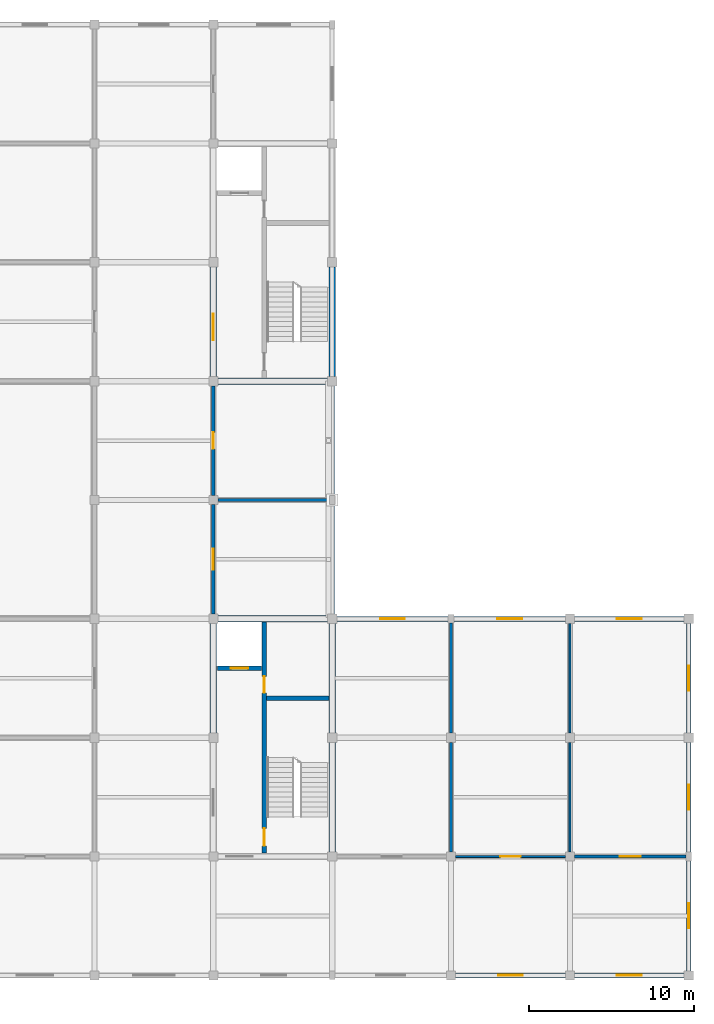
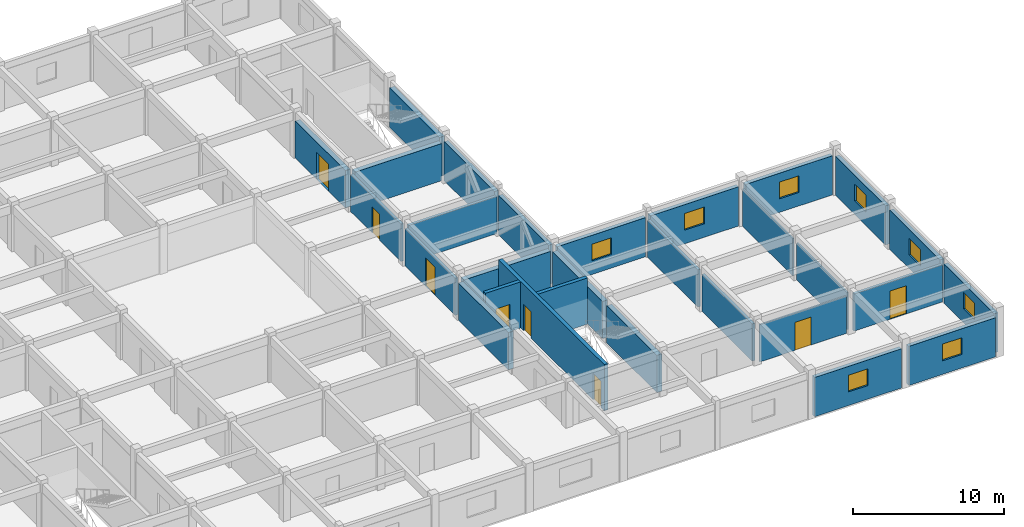
# One storey, part 8 of 10: 29 walls, 8 doors, 8 windows, 16 openings.
"""IFC4 building model written with IfcOpenShell, lengths in metres."""

from ifc_helpers import new_model, si_unit, direction, frame, frame_2d, origin, place, context, subcontext, project, spatial, rectangle, extrude, material, layer, layer_set, type_object, element, fill, save


model = new_model("IFC4")

# Units and contexts
model_context = context("Model", 3, precision=1e-05, world=origin(), true_north=direction((0.0, 1.0)))
body_context = subcontext(model_context, "Body", "Model", "MODEL_VIEW")
ifc_project = project(units=[si_unit("LENGTHUNIT", "METRE"), si_unit("AREAUNIT", "SQUARE_METRE"), si_unit("VOLUMEUNIT", "CUBIC_METRE"), si_unit("PLANEANGLEUNIT", "RADIAN"), si_unit("MASSUNIT", "GRAM", prefix="KILO")], contexts=[model_context])

# Site, building, storey
site_placement = place(None, origin())
site = spatial("IfcSite", under=ifc_project, at=site_placement, CompositionType="ELEMENT")
building_placement = place(site_placement, origin())
building = spatial("IfcBuilding", under=site, at=building_placement, Name="Cendaluz Park School", CompositionType="ELEMENT")
storey_placement = place(building_placement, frame((0.0, 0.0, 38.800048828125)))
storey = spatial("IfcBuildingStorey", under=building, at=storey_placement, Name="L09", CompositionType="ELEMENT", Elevation=38.800048828125)

# Walls
ifc_material_1 = material(Name="Gypsum Plasterboard on Cold-Formed Stud", Category="gypsum")
ifc_layer_1 = layer(ifc_material_1, 0.199951171875)
ifc_layer_set_1 = layer_set([ifc_layer_1], Name="Gypsum Plasterboard on Cold-Formed Stud")
wall_type_1 = type_object("IfcWallType", Name="W-AC20", PredefinedType="PARTITIONING", material=ifc_layer_set_1)
wall_1_placement = place(storey_placement, frame((115.199951171875, 14.679931640625, 0.0), z_axis=(0.0, 0.0, 1.0), x_axis=(0.0, 1.0, 0.0)))
element("IfcWall", 1, at=wall_1_placement, inside=storey, type_object=wall_type_1, Name="WL-FJ-BO1", PredefinedType="PARTITIONING", context=body_context, shape_type="SweptSolid", body=[
    extrude(rectangle(XDim=6.64013671875, YDim=0.199951171875, at=frame_2d((3.320068359375, 0.0))), origin(), (0.0, 0.0, 1.0), 3.010009765625),
])
wall_2_placement = place(storey_placement, frame((115.199951171875, 21.8798828125, 0.0), z_axis=(0.0, 0.0, 1.0), x_axis=(0.0, 1.0, 0.0)))
element("IfcWall", 2, at=wall_2_placement, inside=storey, type_object=wall_type_1, Name="WL-FJ-BO2", PredefinedType="PARTITIONING", context=body_context, shape_type="SweptSolid", body=[
    extrude(rectangle(XDim=6.66015625, YDim=0.199951171875, at=frame_2d((3.330078125, 0.0))), origin(), (0.0, 0.0, 1.0), 3.010009765625),
])

# Wall, opening, door
wall_3_placement = place(storey_placement, frame((122.679931640625, 14.39990234375, 0.0), z_axis=(0.0, 0.0, 1.0), x_axis=(1.0, 0.0, 0.0)))
wall_3 = element("IfcWall", 3, at=wall_3_placement, inside=storey, type_object=wall_type_1, Name="WL-FJ-BO6", PredefinedType="PARTITIONING", context=body_context, shape_type="SweptSolid", body=[
    extrude(rectangle(XDim=6.739990234375, YDim=0.199951171875, at=frame_2d((3.3701171875, 0.0))), origin(), (0.0, 0.0, 1.0), 3.010009765625),
])
opening_1_placement = place(wall_3_placement, frame((2.72998046875, 0.0, 0.0)))
opening_1 = element("IfcOpeningElement", 4, at=opening_1_placement, cuts=wall_3, Name="Opening DCL-10", PredefinedType="OPENING", context=body_context, shape_type="SweptSolid", body=[
    extrude(rectangle(XDim=1.280029296875, YDim=2.280029296875, at=frame_2d((0.64013671875, 1.14013671875))), frame((0.0, 0.112060546875, 0.0), z_axis=(0.0, -1.0, 0.0), x_axis=(1.0, 0.0, 0.0)), (0.0, 0.0, 1.0), 0.223876953125),
])
ifc_material_2 = material(Name="Solid Core Hardwood", Category="wood")
door_type_1 = type_object("IfcDoorType", Name="DCL-10", OperationType="NOTDEFINED", PredefinedType="DOOR", material=ifc_material_2)
door_1_placement = place(opening_1_placement, origin())
door_1 = element("IfcDoor", 5, at=door_1_placement, inside=storey, type_object=door_type_1, Name="D-L09-028", OperationType="SINGLE_SWING_RIGHT", OverallHeight=2.280029296875, OverallWidth=1.280029296875, PredefinedType="DOOR", context=body_context, shape_type="SweptSolid", body=[
    extrude(rectangle(XDim=1.280029296875, YDim=2.280029296875, at=frame_2d((0.64013671875, 1.14013671875))), frame((0.0, 0.02490234375, 0.0), z_axis=(0.0, -1.0, 0.0), x_axis=(1.0, 0.0, 0.0)), (0.0, 0.0, 1.0), 0.050048828125),
])
fill(opening_1, door_1)

# Wall
wall_4_placement = place(storey_placement, frame((101.080078125, 36.0, 0.0), z_axis=(0.0, 0.0, 1.0), x_axis=(1.0, 0.0, 0.0)))
element("IfcWall", 6, at=wall_4_placement, inside=storey, type_object=wall_type_1, Name="WL-FJ-BQ4", PredefinedType="PARTITIONING", context=body_context, shape_type="SweptSolid", body=[
    extrude(rectangle(XDim=6.739990234375, YDim=0.199951171875, at=frame_2d((3.3701171875, 0.0))), origin(), (0.0, 0.0, 1.0), 3.010009765625),
])

# Wall, opening, door
wall_5_placement = place(storey_placement, frame((100.800048828125, 29.080078125, 0.0), z_axis=(0.0, 0.0, 1.0), x_axis=(0.0, 1.0, 0.0)))
wall_5 = element("IfcWall", 7, at=wall_5_placement, inside=storey, type_object=wall_type_1, Name="WL-FJ-BQ5", PredefinedType="PARTITIONING", context=body_context, shape_type="SweptSolid", body=[
    extrude(rectangle(XDim=6.639892578125, YDim=0.199951171875, at=frame_2d((3.31982421875, 0.0))), origin(), (0.0, 0.0, 1.0), 3.010009765625),
])
opening_2_placement = place(wall_5_placement, frame((2.679931640625, 0.0, 0.0)))
opening_2 = element("IfcOpeningElement", 8, at=opening_2_placement, cuts=wall_5, Name="Opening DCL-10", PredefinedType="OPENING", context=body_context, shape_type="SweptSolid", body=[
    extrude(rectangle(XDim=1.280029296875, YDim=2.280029296875, at=frame_2d((0.64013671875, 1.14013671875))), frame((0.0, 0.112060546875, 0.0), z_axis=(0.0, -1.0, 0.0), x_axis=(1.0, 0.0, 0.0)), (0.0, 0.0, 1.0), 0.223876953125),
])
door_2_placement = place(opening_2_placement, frame((1.280029296875, 0.0, 0.0), z_axis=(0.0, 0.0, 1.0), x_axis=(-1.0, 0.0, 0.0)))
door_2 = element("IfcDoor", 9, at=door_2_placement, inside=storey, type_object=door_type_1, Name="D-L09-038", OperationType="SINGLE_SWING_RIGHT", OverallHeight=2.280029296875, OverallWidth=1.280029296875, PredefinedType="DOOR", context=body_context, shape_type="SweptSolid", body=[
    extrude(rectangle(XDim=1.280029296875, YDim=2.280029296875, at=frame_2d((0.64013671875, 1.14013671875))), frame((0.0, 0.02490234375, 0.0), z_axis=(0.0, -1.0, 0.0), x_axis=(1.0, 0.0, 0.0)), (0.0, 0.0, 1.0), 0.050048828125),
])
fill(opening_2, door_2)

wall_6_placement = place(storey_placement, frame((100.800048828125, 36.280029296875, 0.0), z_axis=(0.0, 0.0, 1.0), x_axis=(0.0, 1.0, 0.0)))
wall_6 = element("IfcWall", 10, at=wall_6_placement, inside=storey, type_object=wall_type_1, Name="WL-FJ-BQ6", PredefinedType="PARTITIONING", context=body_context, shape_type="SweptSolid", body=[
    extrude(rectangle(XDim=6.639892578125, YDim=0.199951171875, at=frame_2d((3.31982421875, 0.0))), origin(), (0.0, 0.0, 1.0), 3.010009765625),
])
opening_3_placement = place(wall_6_placement, frame((2.820068359375, 0.0, 0.0)))
opening_3 = element("IfcOpeningElement", 11, at=opening_3_placement, cuts=wall_6, Name="Opening DCL-01", PredefinedType="OPENING", context=body_context, shape_type="SweptSolid", body=[
    extrude(rectangle(XDim=1.0, YDim=2.10009765625, at=frame_2d((0.5, 1.050048828125))), frame((0.0, 0.112060546875, 0.0), z_axis=(0.0, -1.0, 0.0), x_axis=(1.0, 0.0, 0.0)), (0.0, 0.0, 1.0), 0.223876953125),
])
door_type_2 = type_object("IfcDoorType", Name="DCL-01", OperationType="NOTDEFINED", PredefinedType="DOOR", material=ifc_material_2)
door_3_placement = place(opening_3_placement, frame((1.0, 0.0, 0.0), z_axis=(0.0, 0.0, 1.0), x_axis=(-1.0, 0.0, 0.0)))
door_3 = element("IfcDoor", 12, at=door_3_placement, inside=storey, type_object=door_type_2, Name="D-L09-039", OperationType="SINGLE_SWING_LEFT", OverallHeight=2.10009765625, OverallWidth=1.0, PredefinedType="DOOR", context=body_context, shape_type="SweptSolid", body=[
    extrude(rectangle(XDim=1.0, YDim=2.10009765625, at=frame_2d((0.5, 1.050048828125))), frame((0.0, 0.02490234375, 0.0), z_axis=(0.0, -1.0, 0.0), x_axis=(1.0, 0.0, 0.0)), (0.0, 0.0, 1.0), 0.050048828125),
])
fill(opening_3, door_3)

# Walls
ifc_material_3 = material(Name="Cross-laminated timber CLT C24", Category="wood")
ifc_layer_2 = layer(ifc_material_3, 0.300048828125)
ifc_layer_set_2 = layer_set([ifc_layer_2], Name="Cross-laminated timber CLT C24")
wall_type_2 = type_object("IfcWallType", Name="W-EX30", PredefinedType="SOLIDWALL", material=ifc_layer_set_2)
for number, where, z_axis, x_axis, name in (
    (13, (108.0, 29.080078125, 0.0), (0.0, 0.0, 1.0), (0.0, 1.0, 0.0), "WL-FJ-AC5"),
    (14, (108.0, 36.260009765625, 0.0), (0.0, 0.0, 1.0), (0.0, 1.0, 0.0), "WL-FJ-AC6"),
):
    element("IfcWall", number, at=place(storey_placement, frame(where, z_axis=z_axis, x_axis=x_axis)), inside=storey, type_object=wall_type_2, Name=name, PredefinedType="SOLIDWALL", context=body_context, shape_type="SweptSolid", body=[
        extrude(rectangle(XDim=6.659912109375, YDim=0.300048828125, at=frame_2d((3.330078125, 0.0))), origin(), (0.0, 0.0, 1.0), 3.169921875),
    ])

# Wall, opening, window
wall_7_placement = place(storey_placement, frame((108.280029296875, 28.800048828125, 0.0), z_axis=(0.0, 0.0, 1.0), x_axis=(1.0, 0.0, 0.0)))
wall_7 = element("IfcWall", 15, at=wall_7_placement, inside=storey, type_object=wall_type_2, Name="WL-FJ-AD0", PredefinedType="SOLIDWALL", context=body_context, shape_type="SweptSolid", body=[
    extrude(rectangle(XDim=6.739990234375, YDim=0.300048828125, at=frame_2d((3.3701171875, 0.0))), origin(), (0.0, 0.0, 1.0), 3.169921875),
])
opening_4_placement = place(wall_7_placement, frame((2.6201171875, 0.0, 1.10009765625)))
opening_4 = element("IfcOpeningElement", 16, at=opening_4_placement, cuts=wall_7, Name="Opening WN-20", PredefinedType="OPENING", context=body_context, shape_type="SweptSolid", body=[
    extrude(rectangle(XDim=1.5, YDim=1.35009765625, at=frame_2d((0.75, 0.675048828125))), frame((0.0, 0.162109375, 0.0), z_axis=(0.0, -1.0, 0.0), x_axis=(1.0, 0.0, 0.0)), (0.0, 0.0, 1.0), 0.323974609375),
])
ifc_material_4 = material(Name="Tempered Low-E Double Glazing", Category="glass")
window_type = type_object("IfcWindowType", Name="WN-20", PartitioningType="SINGLE_PANEL", PredefinedType="WINDOW", material=ifc_material_4)
window_1_placement = place(opening_4_placement, origin())
window_1 = element("IfcWindow", 17, at=window_1_placement, inside=storey, type_object=window_type, Name="WN-L09-027", OverallHeight=1.35009765625, OverallWidth=1.5, PartitioningType="SINGLE_PANEL", PredefinedType="WINDOW", context=body_context, shape_type="SweptSolid", body=[
    extrude(rectangle(XDim=1.5, YDim=1.35009765625, at=frame_2d((0.75, 0.675048828125))), frame((0.0, 0.030029296875, 0.0), z_axis=(0.0, -1.0, 0.0), x_axis=(1.0, 0.0, 0.0)), (0.0, 0.0, 1.0), 0.06005859375),
])
fill(opening_4, window_1)

wall_8_placement = place(storey_placement, frame((115.47998046875, 7.199951171875, 0.0), z_axis=(0.0, 0.0, 1.0), x_axis=(1.0, 0.0, 0.0)))
wall_8 = element("IfcWall", 18, at=wall_8_placement, inside=storey, type_object=wall_type_2, Name="WL-FJ-AD1", PredefinedType="SOLIDWALL", context=body_context, shape_type="SweptSolid", body=[
    extrude(rectangle(XDim=6.64013671875, YDim=0.300048828125, at=frame_2d((3.320068359375, 0.0))), origin(), (0.0, 0.0, 1.0), 3.169921875),
])
opening_5_placement = place(wall_8_placement, frame((2.570068359375, 0.0, 1.10009765625)))
opening_5 = element("IfcOpeningElement", 19, at=opening_5_placement, cuts=wall_8, Name="Opening WN-20", PredefinedType="OPENING", context=body_context, shape_type="SweptSolid", body=[
    extrude(rectangle(XDim=1.5, YDim=1.35009765625, at=frame_2d((0.75, 0.675048828125))), frame((0.0, 0.162109375, 0.0), z_axis=(0.0, -1.0, 0.0), x_axis=(1.0, 0.0, 0.0)), (0.0, 0.0, 1.0), 0.323974609375),
])
window_2_placement = place(opening_5_placement, origin())
window_2 = element("IfcWindow", 20, at=window_2_placement, inside=storey, type_object=window_type, Name="WN-L09-028", OverallHeight=1.35009765625, OverallWidth=1.5, PartitioningType="SINGLE_PANEL", PredefinedType="WINDOW", context=body_context, shape_type="SweptSolid", body=[
    extrude(rectangle(XDim=1.5, YDim=1.35009765625, at=frame_2d((0.75, 0.675048828125))), frame((0.0, 0.030029296875, 0.0), z_axis=(0.0, -1.0, 0.0), x_axis=(1.0, 0.0, 0.0)), (0.0, 0.0, 1.0), 0.06005859375),
])
fill(opening_5, window_2)

wall_9_placement = place(storey_placement, frame((115.3798828125, 28.800048828125, 0.0), z_axis=(0.0, 0.0, 1.0), x_axis=(1.0, 0.0, 0.0)))
wall_9 = element("IfcWall", 21, at=wall_9_placement, inside=storey, type_object=wall_type_2, Name="WL-FJ-AD2", PredefinedType="SOLIDWALL", context=body_context, shape_type="SweptSolid", body=[
    extrude(rectangle(XDim=6.740234375, YDim=0.300048828125, at=frame_2d((3.3701171875, 0.0))), origin(), (0.0, 0.0, 1.0), 3.169921875),
])
opening_6_placement = place(wall_9_placement, frame((2.6201171875, 0.0, 1.10009765625)))
opening_6 = element("IfcOpeningElement", 22, at=opening_6_placement, cuts=wall_9, Name="Opening WN-20", PredefinedType="OPENING", context=body_context, shape_type="SweptSolid", body=[
    extrude(rectangle(XDim=1.5, YDim=1.35009765625, at=frame_2d((0.75, 0.675048828125))), frame((0.0, 0.162109375, 0.0), z_axis=(0.0, -1.0, 0.0), x_axis=(1.0, 0.0, 0.0)), (0.0, 0.0, 1.0), 0.323974609375),
])
window_3_placement = place(opening_6_placement, origin())
window_3 = element("IfcWindow", 23, at=window_3_placement, inside=storey, type_object=window_type, Name="WN-L09-029", OverallHeight=1.35009765625, OverallWidth=1.5, PartitioningType="SINGLE_PANEL", PredefinedType="WINDOW", context=body_context, shape_type="SweptSolid", body=[
    extrude(rectangle(XDim=1.5, YDim=1.35009765625, at=frame_2d((0.75, 0.675048828125))), frame((0.0, 0.030029296875, 0.0), z_axis=(0.0, -1.0, 0.0), x_axis=(1.0, 0.0, 0.0)), (0.0, 0.0, 1.0), 0.06005859375),
])
fill(opening_6, window_3)

wall_10_placement = place(storey_placement, frame((122.679931640625, 7.199951171875, 0.0), z_axis=(0.0, 0.0, 1.0), x_axis=(1.0, 0.0, 0.0)))
wall_10 = element("IfcWall", 24, at=wall_10_placement, inside=storey, type_object=wall_type_2, Name="WL-FJ-AD3", PredefinedType="SOLIDWALL", context=body_context, shape_type="SweptSolid", body=[
    extrude(rectangle(XDim=6.64013671875, YDim=0.300048828125, at=frame_2d((3.320068359375, 0.0))), origin(), (0.0, 0.0, 1.0), 3.169921875),
])
opening_7_placement = place(wall_10_placement, frame((2.570068359375, 0.0, 1.10009765625)))
opening_7 = element("IfcOpeningElement", 25, at=opening_7_placement, cuts=wall_10, Name="Opening WN-20", PredefinedType="OPENING", context=body_context, shape_type="SweptSolid", body=[
    extrude(rectangle(XDim=1.5, YDim=1.35009765625, at=frame_2d((0.75, 0.675048828125))), frame((0.0, 0.162109375, 0.0), z_axis=(0.0, -1.0, 0.0), x_axis=(1.0, 0.0, 0.0)), (0.0, 0.0, 1.0), 0.323974609375),
])
window_4_placement = place(opening_7_placement, origin())
window_4 = element("IfcWindow", 26, at=window_4_placement, inside=storey, type_object=window_type, Name="WN-L09-030", OverallHeight=1.35009765625, OverallWidth=1.5, PartitioningType="SINGLE_PANEL", PredefinedType="WINDOW", context=body_context, shape_type="SweptSolid", body=[
    extrude(rectangle(XDim=1.5, YDim=1.35009765625, at=frame_2d((0.75, 0.675048828125))), frame((0.0, 0.030029296875, 0.0), z_axis=(0.0, -1.0, 0.0), x_axis=(1.0, 0.0, 0.0)), (0.0, 0.0, 1.0), 0.06005859375),
])
fill(opening_7, window_4)

wall_11_placement = place(storey_placement, frame((129.60009765625, 7.47998046875, 0.0), z_axis=(0.0, 0.0, 1.0), x_axis=(0.0, 1.0, 0.0)))
wall_11 = element("IfcWall", 27, at=wall_11_placement, inside=storey, type_object=wall_type_2, Name="WL-FJ-AD4", PredefinedType="SOLIDWALL", context=body_context, shape_type="SweptSolid", body=[
    extrude(rectangle(XDim=6.659912109375, YDim=0.300048828125, at=frame_2d((3.330078125, 0.0))), origin(), (0.0, 0.0, 1.0), 3.169921875),
])
opening_8_placement = place(wall_11_placement, frame((2.580078125, 0.0, 1.10009765625)))
opening_8 = element("IfcOpeningElement", 28, at=opening_8_placement, cuts=wall_11, Name="Opening WN-20", PredefinedType="OPENING", context=body_context, shape_type="SweptSolid", body=[
    extrude(rectangle(XDim=1.5, YDim=1.35009765625, at=frame_2d((0.75, 0.675048828125))), frame((0.0, 0.162109375, 0.0), z_axis=(0.0, -1.0, 0.0), x_axis=(1.0, 0.0, 0.0)), (0.0, 0.0, 1.0), 0.323974609375),
])
window_5_placement = place(opening_8_placement, origin())
window_5 = element("IfcWindow", 29, at=window_5_placement, inside=storey, type_object=window_type, Name="WN-L09-031", OverallHeight=1.35009765625, OverallWidth=1.5, PartitioningType="SINGLE_PANEL", PredefinedType="WINDOW", context=body_context, shape_type="SweptSolid", body=[
    extrude(rectangle(XDim=1.5, YDim=1.35009765625, at=frame_2d((0.75, 0.675048828125))), frame((0.0, 0.030029296875, 0.0), z_axis=(0.0, -1.0, 0.0), x_axis=(1.0, 0.0, 0.0)), (0.0, 0.0, 1.0), 0.06005859375),
])
fill(opening_8, window_5)

wall_12_placement = place(storey_placement, frame((129.60009765625, 14.659912109375, 0.0), z_axis=(0.0, 0.0, 1.0), x_axis=(0.0, 1.0, 0.0)))
wall_12 = element("IfcWall", 30, at=wall_12_placement, inside=storey, type_object=wall_type_2, Name="WL-FJ-AD5", PredefinedType="SOLIDWALL", context=body_context, shape_type="SweptSolid", body=[
    extrude(rectangle(XDim=6.66015625, YDim=0.300048828125, at=frame_2d((3.330078125, 0.0))), origin(), (0.0, 0.0, 1.0), 3.169921875),
])
opening_9_placement = place(wall_12_placement, frame((2.580078125, 0.0, 1.10009765625)))
opening_9 = element("IfcOpeningElement", 31, at=opening_9_placement, cuts=wall_12, Name="Opening WN-20", PredefinedType="OPENING", context=body_context, shape_type="SweptSolid", body=[
    extrude(rectangle(XDim=1.5, YDim=1.35009765625, at=frame_2d((0.75, 0.675048828125))), frame((0.0, 0.162109375, 0.0), z_axis=(0.0, -1.0, 0.0), x_axis=(1.0, 0.0, 0.0)), (0.0, 0.0, 1.0), 0.323974609375),
])
window_6_placement = place(opening_9_placement, origin())
window_6 = element("IfcWindow", 32, at=window_6_placement, inside=storey, type_object=window_type, Name="WN-L09-032", OverallHeight=1.35009765625, OverallWidth=1.5, PartitioningType="SINGLE_PANEL", PredefinedType="WINDOW", context=body_context, shape_type="SweptSolid", body=[
    extrude(rectangle(XDim=1.5, YDim=1.35009765625, at=frame_2d((0.75, 0.675048828125))), frame((0.0, 0.030029296875, 0.0), z_axis=(0.0, -1.0, 0.0), x_axis=(1.0, 0.0, 0.0)), (0.0, 0.0, 1.0), 0.06005859375),
])
fill(opening_9, window_6)

wall_13_placement = place(storey_placement, frame((122.679931640625, 28.800048828125, 0.0), z_axis=(0.0, 0.0, 1.0), x_axis=(1.0, 0.0, 0.0)))
wall_13 = element("IfcWall", 33, at=wall_13_placement, inside=storey, type_object=wall_type_2, Name="WL-FJ-AD6", PredefinedType="SOLIDWALL", context=body_context, shape_type="SweptSolid", body=[
    extrude(rectangle(XDim=6.64013671875, YDim=0.300048828125, at=frame_2d((3.320068359375, 0.0))), origin(), (0.0, 0.0, 1.0), 3.169921875),
])
opening_10_placement = place(wall_13_placement, frame((2.570068359375, 0.0, 1.10009765625)))
opening_10 = element("IfcOpeningElement", 34, at=opening_10_placement, cuts=wall_13, Name="Opening WN-20", PredefinedType="OPENING", context=body_context, shape_type="SweptSolid", body=[
    extrude(rectangle(XDim=1.5, YDim=1.35009765625, at=frame_2d((0.75, 0.675048828125))), frame((0.0, 0.162109375, 0.0), z_axis=(0.0, -1.0, 0.0), x_axis=(1.0, 0.0, 0.0)), (0.0, 0.0, 1.0), 0.323974609375),
])
window_7_placement = place(opening_10_placement, origin())
window_7 = element("IfcWindow", 35, at=window_7_placement, inside=storey, type_object=window_type, Name="WN-L09-033", OverallHeight=1.35009765625, OverallWidth=1.5, PartitioningType="SINGLE_PANEL", PredefinedType="WINDOW", context=body_context, shape_type="SweptSolid", body=[
    extrude(rectangle(XDim=1.5, YDim=1.35009765625, at=frame_2d((0.75, 0.675048828125))), frame((0.0, 0.030029296875, 0.0), z_axis=(0.0, -1.0, 0.0), x_axis=(1.0, 0.0, 0.0)), (0.0, 0.0, 1.0), 0.06005859375),
])
fill(opening_10, window_7)

wall_14_placement = place(storey_placement, frame((129.60009765625, 21.8798828125, 0.0), z_axis=(0.0, 0.0, 1.0), x_axis=(0.0, 1.0, 0.0)))
wall_14 = element("IfcWall", 36, at=wall_14_placement, inside=storey, type_object=wall_type_2, Name="WL-FJ-AD7", PredefinedType="SOLIDWALL", context=body_context, shape_type="SweptSolid", body=[
    extrude(rectangle(XDim=6.64013671875, YDim=0.300048828125, at=frame_2d((3.320068359375, 0.0))), origin(), (0.0, 0.0, 1.0), 3.169921875),
])
opening_11_placement = place(wall_14_placement, frame((2.570068359375, 0.0, 1.10009765625)))
opening_11 = element("IfcOpeningElement", 37, at=opening_11_placement, cuts=wall_14, Name="Opening WN-20", PredefinedType="OPENING", context=body_context, shape_type="SweptSolid", body=[
    extrude(rectangle(XDim=1.5, YDim=1.35009765625, at=frame_2d((0.75, 0.675048828125))), frame((0.0, 0.162109375, 0.0), z_axis=(0.0, -1.0, 0.0), x_axis=(1.0, 0.0, 0.0)), (0.0, 0.0, 1.0), 0.323974609375),
])
window_8_placement = place(opening_11_placement, origin())
window_8 = element("IfcWindow", 38, at=window_8_placement, inside=storey, type_object=window_type, Name="WN-L09-034", OverallHeight=1.35009765625, OverallWidth=1.5, PartitioningType="SINGLE_PANEL", PredefinedType="WINDOW", context=body_context, shape_type="SweptSolid", body=[
    extrude(rectangle(XDim=1.5, YDim=1.35009765625, at=frame_2d((0.75, 0.675048828125))), frame((0.0, 0.030029296875, 0.0), z_axis=(0.0, -1.0, 0.0), x_axis=(1.0, 0.0, 0.0)), (0.0, 0.0, 1.0), 0.06005859375),
])
fill(opening_11, window_8)

# Wall, openings, doors
ifc_material_5 = material(Name="Concrete C40/50", Category="concrete")
ifc_layer_3 = layer(ifc_material_5, 0.280029296875)
ifc_layer_set_3 = layer_set([ifc_layer_3], Name="Concrete C40/50")
wall_type_3 = type_object("IfcWallType", Name="W-FW28", PredefinedType="SHEAR", material=ifc_layer_set_3)
wall_15_placement = place(storey_placement, frame((103.8798828125, 14.60009765625, 0.0), z_axis=(0.0, 0.0, 1.0), x_axis=(0.0, 1.0, 0.0)))
wall_15 = element("IfcWall", 39, at=wall_15_placement, inside=storey, type_object=wall_type_3, Name="WL-FJ-BJ3", PredefinedType="SHEAR", context=body_context, shape_type="SweptSolid", body=[
    extrude(rectangle(XDim=14.0, YDim=0.280029296875, at=frame_2d((7.0, 0.0))), origin(), (0.0, 0.0, 1.0), 3.739990234375),
])
opening_12_placement = place(wall_15_placement, frame((0.449951171875, 0.0, 0.0)))
opening_12 = element("IfcOpeningElement", 40, at=opening_12_placement, cuts=wall_15, Name="Opening DST-02", PredefinedType="OPENING", context=body_context, shape_type="SweptSolid", body=[
    extrude(rectangle(XDim=1.050048828125, YDim=2.14990234375, at=frame_2d((0.52490234375, 1.074951171875))), frame((0.0, 0.152099609375, 0.0), z_axis=(0.0, -1.0, 0.0), x_axis=(1.0, 0.0, 0.0)), (0.0, 0.0, 1.0), 0.303955078125),
])
opening_13_placement = place(wall_15_placement, frame((9.719970703125, 0.0, 0.0)))
opening_13 = element("IfcOpeningElement", 41, at=opening_13_placement, cuts=wall_15, Name="Opening DFC-01", PredefinedType="OPENING", context=body_context, shape_type="SweptSolid", body=[
    extrude(rectangle(XDim=1.0, YDim=2.14990234375, at=frame_2d((0.5, 1.074951171875))), frame((0.0, 0.152099609375, 0.0), z_axis=(0.0, -1.0, 0.0), x_axis=(1.0, 0.0, 0.0)), (0.0, 0.0, 1.0), 0.303955078125),
])
door_type_3 = type_object("IfcDoorType", Name="DFC-01", OperationType="NOTDEFINED", PredefinedType="DOOR", material=ifc_material_2)
door_4_placement = place(opening_13_placement, frame((1.0, 0.0, 0.0), z_axis=(0.0, 0.0, 1.0), x_axis=(-1.0, 0.0, 0.0)))
door_4 = element("IfcDoor", 42, at=door_4_placement, inside=storey, type_object=door_type_3, Name="D-L09-009", OperationType="SINGLE_SWING_LEFT", OverallHeight=2.14990234375, OverallWidth=1.0, PredefinedType="DOOR", context=body_context, shape_type="SweptSolid", body=[
    extrude(rectangle(XDim=1.0, YDim=2.14990234375, at=frame_2d((0.5, 1.074951171875))), frame((0.0, 0.02490234375, 0.0), z_axis=(0.0, -1.0, 0.0), x_axis=(1.0, 0.0, 0.0)), (0.0, 0.0, 1.0), 0.050048828125),
])
fill(opening_13, door_4)
door_type_4 = type_object("IfcDoorType", Name="DST-02", OperationType="NOTDEFINED", PredefinedType="DOOR", material=ifc_material_2)
door_5_placement = place(opening_12_placement, frame((1.050048828125, 0.0, 0.0), z_axis=(0.0, 0.0, 1.0), x_axis=(-1.0, 0.0, 0.0)))
door_5 = element("IfcDoor", 43, at=door_5_placement, inside=storey, type_object=door_type_4, Name="D-L09-008", OperationType="SINGLE_SWING_RIGHT", OverallHeight=2.14990234375, OverallWidth=1.050048828125, PredefinedType="DOOR", context=body_context, shape_type="SweptSolid", body=[
    extrude(rectangle(XDim=1.050048828125, YDim=2.14990234375, at=frame_2d((0.52490234375, 1.074951171875))), frame((0.0, 0.02490234375, 0.0), z_axis=(0.0, -1.0, 0.0), x_axis=(1.0, 0.0, 0.0)), (0.0, 0.0, 1.0), 0.050048828125),
])
fill(opening_12, door_5)

# Wall
wall_16_placement = place(storey_placement, frame((104.02001953125, 23.97998046875, 0.0), z_axis=(0.0, 0.0, 1.0), x_axis=(1.0, 0.0, 0.0)))
element("IfcWall", 44, at=wall_16_placement, inside=storey, type_object=wall_type_3, Name="WL-FJ-BJ4", PredefinedType="SHEAR", context=body_context, shape_type="SweptSolid", body=[
    extrude(rectangle(XDim=3.780029296875, YDim=0.280029296875, at=frame_2d((1.89013671875, 0.0))), origin(), (0.0, 0.0, 1.0), 3.739990234375),
])

# Wall, opening, door
wall_17_placement = place(storey_placement, frame((101.0400390625, 25.800048828125, 0.0), z_axis=(0.0, 0.0, 1.0), x_axis=(1.0, 0.0, 0.0)))
wall_17 = element("IfcWall", 45, at=wall_17_placement, inside=storey, type_object=wall_type_3, Name="WL-FJ-BJ5", PredefinedType="SHEAR", context=body_context, shape_type="SweptSolid", body=[
    extrude(rectangle(XDim=2.679931640625, YDim=0.280029296875, at=frame_2d((1.33984375, 0.0))), origin(), (0.0, 0.0, 1.0), 3.739990234375),
])
opening_14_placement = place(wall_17_placement, frame((0.81494140625, 0.0, 0.0)))
opening_14 = element("IfcOpeningElement", 46, at=opening_14_placement, cuts=wall_17, Name="Opening LD-02", PredefinedType="OPENING", context=body_context, shape_type="SweptSolid", body=[
    extrude(rectangle(XDim=1.050048828125, YDim=2.199951171875, at=frame_2d((0.52490234375, 1.10009765625))), frame((0.0, 0.152099609375, 0.0), z_axis=(0.0, -1.0, 0.0), x_axis=(1.0, 0.0, 0.0)), (0.0, 0.0, 1.0), 0.303955078125),
])
ifc_material_6 = material(Name="Stainless Steel 316L", Category="steel")
door_type_5 = type_object("IfcDoorType", Name="LD-02", OperationType="DOUBLE_DOOR_SLIDING", PredefinedType="DOOR", material=ifc_material_6)
door_6_placement = place(opening_14_placement, frame((1.050048828125, 0.0, 0.0), z_axis=(0.0, 0.0, 1.0), x_axis=(-1.0, 0.0, 0.0)))
door_6 = element("IfcDoor", 47, at=door_6_placement, inside=storey, type_object=door_type_5, Name="D-L09-010", OperationType="DOUBLE_DOOR_SLIDING", OverallHeight=2.199951171875, OverallWidth=1.050048828125, PredefinedType="DOOR", context=body_context, shape_type="SweptSolid", body=[
    extrude(rectangle(XDim=1.050048828125, YDim=2.199951171875, at=frame_2d((0.52490234375, 1.10009765625))), frame((0.0, 0.02490234375, 0.0), z_axis=(0.0, -1.0, 0.0), x_axis=(1.0, 0.0, 0.0)), (0.0, 0.0, 1.0), 0.050048828125),
])
fill(opening_14, door_6)

ifc_layer_4 = layer(ifc_material_1, 0.1201171875)
ifc_layer_set_4 = layer_set([ifc_layer_4], Name="Gypsum Plasterboard on Cold-Formed Stud")
wall_type_4 = type_object("IfcWallType", Name="W-MV12", PredefinedType="MOVABLE", material=ifc_layer_set_4)
wall_18_placement = place(storey_placement, frame((115.47998046875, 14.39990234375, 0.0), z_axis=(0.0, 0.0, 1.0), x_axis=(1.0, 0.0, 0.0)))
wall_18 = element("IfcWall", 48, at=wall_18_placement, inside=storey, type_object=wall_type_4, Name="WL-FJ-BO3", PredefinedType="MOVABLE", context=body_context, shape_type="SweptSolid", body=[
    extrude(rectangle(XDim=6.64013671875, YDim=0.1201171875, at=frame_2d((3.320068359375, 0.0))), origin(), (0.0, 0.0, 1.0), 3.010009765625),
])
opening_15_placement = place(wall_18_placement, frame((2.699951171875, 0.0, 0.0)))
opening_15 = element("IfcOpeningElement", 49, at=opening_15_placement, cuts=wall_18, Name="Opening DCL-09", PredefinedType="OPENING", context=body_context, shape_type="SweptSolid", body=[
    extrude(rectangle(XDim=1.239990234375, YDim=2.260009765625, at=frame_2d((0.6201171875, 1.1298828125))), frame((0.0, 0.072021484375, 0.0), z_axis=(0.0, -1.0, 0.0), x_axis=(1.0, 0.0, 0.0)), (0.0, 0.0, 1.0), 0.14404296875),
])
door_type_6 = type_object("IfcDoorType", Name="DCL-09", OperationType="NOTDEFINED", PredefinedType="DOOR", material=ifc_material_2)
door_7_placement = place(opening_15_placement, origin())
door_7 = element("IfcDoor", 50, at=door_7_placement, inside=storey, type_object=door_type_6, Name="D-L09-027", OperationType="SINGLE_SWING_LEFT", OverallHeight=2.260009765625, OverallWidth=1.239990234375, PredefinedType="DOOR", context=body_context, shape_type="SweptSolid", body=[
    extrude(rectangle(XDim=1.239990234375, YDim=2.260009765625, at=frame_2d((0.6201171875, 1.1298828125))), frame((0.0, 0.02490234375, 0.0), z_axis=(0.0, -1.0, 0.0), x_axis=(1.0, 0.0, 0.0)), (0.0, 0.0, 1.0), 0.050048828125),
])
fill(opening_15, door_7)

# Walls
for number, where, z_axis, x_axis, name in (
    (51, (122.39990234375, 14.679931640625, 0.0), (0.0, 0.0, 1.0), (0.0, 1.0, 0.0), "WL-FJ-BO4"),
    (52, (122.39990234375, 21.8798828125, 0.0), (0.0, 0.0, 1.0), (0.0, 1.0, 0.0), "WL-FJ-BO5"),
):
    element("IfcWall", number, at=place(storey_placement, frame(where, z_axis=z_axis, x_axis=x_axis)), inside=storey, type_object=wall_type_4, Name=name, PredefinedType="MOVABLE", context=body_context, shape_type="SweptSolid", body=[
        extrude(rectangle(XDim=6.64013671875, YDim=0.1201171875, at=frame_2d((3.320068359375, 0.0))), origin(), (0.0, 0.0, 1.0), 3.010009765625),
    ])
ifc_layer_5 = layer(ifc_material_5, 0.3798828125)
ifc_layer_set_5 = layer_set([ifc_layer_5], Name="Concrete C40/50")
wall_type_5 = type_object("IfcWallType", Name="W-SH38", PredefinedType="SHEAR", material=ifc_layer_set_5)
for number, where, z_axis, x_axis, name in (
    (53, (100.800048828125, 21.8798828125, 0.0), (0.0, 0.0, 1.0), (0.0, 1.0, 0.0), "WL-FJ-BI8"),
    (54, (108.0, 14.679931640625, 0.0), (0.0, 0.0, 1.0), (0.0, 1.0, 0.0), "WL-FJ-BI9"),
    (55, (108.0, 21.8798828125, 0.0), (0.0, 0.0, 1.0), (0.0, 1.0, 0.0), "WL-FJ-BJ0"),
):
    element("IfcWall", number, at=place(storey_placement, frame(where, z_axis=z_axis, x_axis=x_axis)), inside=storey, type_object=wall_type_5, Name=name, PredefinedType="SHEAR", context=body_context, shape_type="SweptSolid", body=[
        extrude(rectangle(XDim=6.64013671875, YDim=0.3798828125, at=frame_2d((3.320068359375, 0.0))), origin(), (0.0, 0.0, 1.0), 3.010009765625),
    ])
wall_19_placement = place(storey_placement, frame((101.080078125, 28.800048828125, 0.0), z_axis=(0.0, 0.0, 1.0), x_axis=(1.0, 0.0, 0.0)))
element("IfcWall", 56, at=wall_19_placement, inside=storey, type_object=wall_type_5, Name="WL-FJ-BJ2", PredefinedType="SHEAR", context=body_context, shape_type="SweptSolid", body=[
    extrude(rectangle(XDim=6.639892578125, YDim=0.3798828125, at=frame_2d((3.31982421875, 0.0))), origin(), (0.0, 0.0, 1.0), 3.010009765625),
])

# Wall, opening, door
wall_20_placement = place(storey_placement, frame((100.800048828125, 43.47998046875, 0.0), z_axis=(0.0, 0.0, 1.0), x_axis=(0.0, 1.0, 0.0)))
wall_20 = element("IfcWall", 57, at=wall_20_placement, inside=storey, type_object=wall_type_5, Name="WL-FJ-BK5", PredefinedType="SHEAR", context=body_context, shape_type="SweptSolid", body=[
    extrude(rectangle(XDim=6.64013671875, YDim=0.3798828125, at=frame_2d((3.320068359375, 0.0))), origin(), (0.0, 0.0, 1.0), 3.010009765625),
])
opening_16_placement = place(wall_20_placement, frame((2.199951171875, 0.0, 0.0)))
opening_16 = element("IfcOpeningElement", 58, at=opening_16_placement, cuts=wall_20, Name="Opening DLB-01", PredefinedType="OPENING", context=body_context, shape_type="SweptSolid", body=[
    extrude(rectangle(XDim=1.60009765625, YDim=2.199951171875, at=frame_2d((0.800048828125, 1.10009765625))), frame((0.0, 0.201904296875, 0.0), z_axis=(0.0, -1.0, 0.0), x_axis=(1.0, 0.0, 0.0)), (0.0, 0.0, 1.0), 0.40380859375),
])
door_type_7 = type_object("IfcDoorType", Name="DLB-01", OperationType="DOUBLE_DOOR_SINGLE_SWING", PredefinedType="DOOR", material=ifc_material_2)
door_8_placement = place(opening_16_placement, frame((1.60009765625, 0.0, 0.0), z_axis=(0.0, 0.0, 1.0), x_axis=(-1.0, 0.0, 0.0)))
door_8 = element("IfcDoor", 59, at=door_8_placement, inside=storey, type_object=door_type_7, Name="D-L09-015", OperationType="DOUBLE_DOOR_SINGLE_SWING", OverallHeight=2.199951171875, OverallWidth=1.60009765625, PredefinedType="DOOR", context=body_context, shape_type="SweptSolid", body=[
    extrude(rectangle(XDim=1.60009765625, YDim=2.199951171875, at=frame_2d((0.800048828125, 1.10009765625))), frame((0.0, 0.02490234375, 0.0), z_axis=(0.0, -1.0, 0.0), x_axis=(1.0, 0.0, 0.0)), (0.0, 0.0, 1.0), 0.050048828125),
])
fill(opening_16, door_8)

# Walls
wall_21_placement = place(storey_placement, frame((108.0, 43.47998046875, 0.0), z_axis=(0.0, 0.0, 1.0), x_axis=(0.0, 1.0, 0.0)))
element("IfcWall", 60, at=wall_21_placement, inside=storey, type_object=wall_type_5, Name="WL-FJ-BK7", PredefinedType="SHEAR", context=body_context, shape_type="SweptSolid", body=[
    extrude(rectangle(XDim=6.64013671875, YDim=0.3798828125, at=frame_2d((3.320068359375, 0.0))), origin(), (0.0, 0.0, 1.0), 3.169921875),
])
wall_22_placement = place(storey_placement, frame((101.080078125, 43.199951171875, 0.0), z_axis=(0.0, 0.0, 1.0), x_axis=(1.0, 0.0, 0.0)))
element("IfcWall", 61, at=wall_22_placement, inside=storey, type_object=wall_type_5, Name="WL-FJ-BK9", PredefinedType="SHEAR", context=body_context, shape_type="SweptSolid", body=[
    extrude(rectangle(XDim=6.639892578125, YDim=0.3798828125, at=frame_2d((3.31982421875, 0.0))), origin(), (0.0, 0.0, 1.0), 3.010009765625),
])

save(model, "model.ifc")
